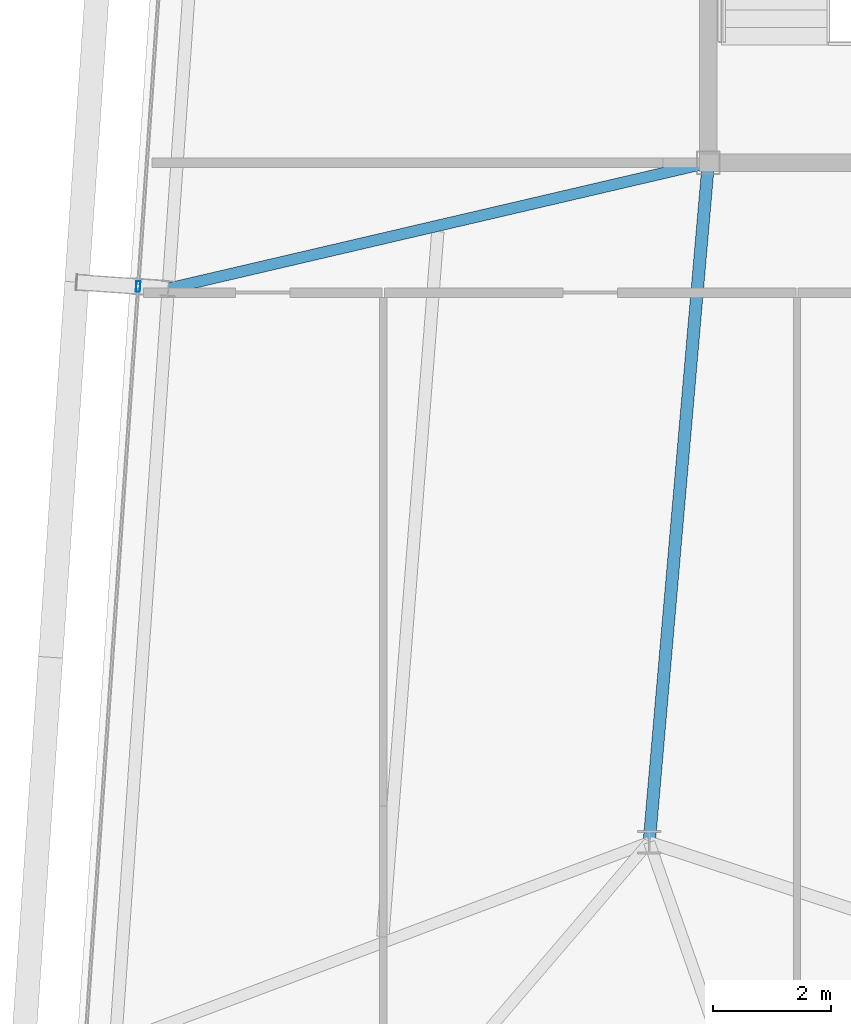
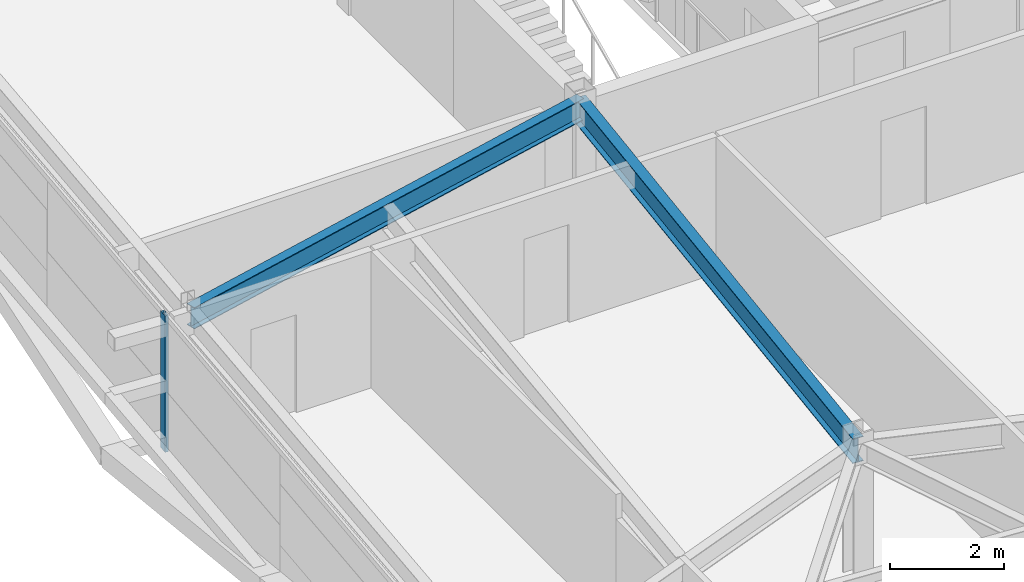
# One storey, part 11 of 39: 2 beams, 1 member, 1 element without a shape of its own.
"""IFC4 building model written with IfcOpenShell, lengths in metres."""

from ifc_helpers import new_model, si_unit, direction, frame, origin, origin_2d, place, context, subcontext, project, spatial, hollow_rectangle, i_section, extrude, source, transform, mapped, material, layer, layer_set, material_profile, profile_set, type_object, element, aggregate, save


model = new_model("IFC4")

# Units and contexts
model_context = context("Model", 3, precision=1e-05, world=origin(), true_north=direction((0.0, 1.0)))
body_context = subcontext(model_context, "Body", "Model", "MODEL_VIEW")
ifc_project = project(units=[si_unit("LENGTHUNIT", "METRE"), si_unit("AREAUNIT", "SQUARE_METRE"), si_unit("VOLUMEUNIT", "CUBIC_METRE"), si_unit("PLANEANGLEUNIT", "RADIAN"), si_unit("MASSUNIT", "GRAM", prefix="KILO")], contexts=[model_context])

# Site, building, storey
site_placement = place(None, origin())
site = spatial("IfcSite", under=ifc_project, at=site_placement, CompositionType="ELEMENT")
building_placement = place(site_placement, origin())
building = spatial("IfcBuilding", under=site, at=building_placement, Name="Taldren Reach Tower", CompositionType="ELEMENT")
storey_placement = place(building_placement, frame((0.0, 0.0, 155.050048828125)))
storey = spatial("IfcBuildingStorey", under=building, at=storey_placement, Name="L47", CompositionType="ELEMENT", Elevation=155.050048828125)

# Beams
ifc_material_1 = material(Name="Steel Gr 350 (350PLUS)", Category="steel")
ifc_material_profile_1 = material_profile(ifc_material_1, i_section(OverallWidth=0.208984375, OverallDepth=0.532958984375, WebThickness=0.01025390625, FlangeThickness=0.015625, at=origin_2d()), Name="530UB92.4")
ifc_profile_set_1 = profile_set([ifc_material_profile_1], Name="Steel Gr 350 (350PLUS)")
beam_type_1 = type_object("IfcBeamType", Name="BM-UB530A", PredefinedType="BEAM", material=ifc_profile_set_1)
shared_shape_1 = source(origin(), body_context, "Body", "SweptSolid", [
    extrude(i_section(OverallWidth=0.208984375, OverallDepth=0.532958984375, WebThickness=0.01025390625, FlangeThickness=0.015625, at=origin_2d()), origin(), (0.0, 0.0, 1.0), 11.54345703125),
])
beam_1_placement = place(storey_placement, frame((19.0, 24.0, 2.663330078125), z_axis=(-0.086629616365, -0.996240588196, 0.0), x_axis=(0.996240588196, -0.086629616365, 0.0)))
element("IfcBeam", 1, at=beam_1_placement, inside=storey, type_object=beam_type_1, Name="Core-spine girder L47-SP09", PredefinedType="BEAM", context=body_context, shape_type="MappedRepresentation", body=[
    mapped(shared_shape_1, transform((0.0, 0.0, 0.0), scale=1.0)),
])
ifc_material_profile_2 = material_profile(ifc_material_1, i_section(OverallWidth=0.19091796875, OverallDepth=0.4599609375, WebThickness=0.010009765625, FlangeThickness=0.01611328125, at=origin_2d()), Name="460UB82.1")
ifc_profile_set_2 = profile_set([ifc_material_profile_2], Name="Steel Gr 350 (350PLUS)")
beam_type_2 = type_object("IfcBeamType", Name="BM-UB460A", PredefinedType="BEAM", material=ifc_profile_set_2)
shared_shape_2 = source(origin(), body_context, "Body", "SweptSolid", [
    extrude(i_section(OverallWidth=0.19091796875, OverallDepth=0.4599609375, WebThickness=0.010009765625, FlangeThickness=0.01611328125, at=origin_2d()), origin(), (0.0, 0.0, 1.0), 9.383544921875),
])
beam_2_placement = place(storey_placement, frame((19.0, 24.0, 2.699951171875), z_axis=(-0.973856560651, -0.227163815951, 0.0), x_axis=(0.227163815951, -0.973856560651, 0.0)))
element("IfcBeam", 2, at=beam_2_placement, inside=storey, type_object=beam_type_2, Name="Primary floor girder B3-W2 L47", PredefinedType="BEAM", context=body_context, shape_type="MappedRepresentation", body=[
    mapped(shared_shape_2, transform((0.0, 0.0, 0.0), scale=1.0)),
])

# Curtain wall, member
ifc_material_2 = material(Name="Aluminium and Low-E Glass Unitised System", Category="aluminium")
ifc_layer = layer(ifc_material_2, 0.159912109375)
ifc_layer_set = layer_set([ifc_layer], Name="Aluminium and Low-E Glass Unitised System")
curtain_wall_type = type_object("IfcCurtainWallType", Name="CW-SYS-4", PredefinedType="NOTDEFINED", material=ifc_layer_set)
curtain_wall_placement = place(storey_placement, origin())
curtain_wall = element("IfcCurtainWall", 3, at=curtain_wall_placement, inside=storey, type_object=curtain_wall_type, Name="Unitised curtain wall CW-L47-W", PredefinedType="NOTDEFINED")
ifc_material_3 = material(Name="Anodised Aluminium 6063-T6", Category="aluminium")
ifc_material_profile_3 = material_profile(ifc_material_3, hollow_rectangle(XDim=0.070068359375, YDim=0.179931640625, WallThickness=0.00390625, at=origin_2d()), Name="ALU-180x70x4RHS")
ifc_profile_set_3 = profile_set([ifc_material_profile_3], Name="Anodised Aluminium 6063-T6")
member_type = type_object("IfcMemberType", Name="CW-MUL-180", PredefinedType="MULLION", material=ifc_profile_set_3)
shared_shape_3 = source(origin(), body_context, "Body", "SweptSolid", [
    extrude(hollow_rectangle(XDim=0.070068359375, YDim=0.179931640625, WallThickness=0.00390625, at=origin_2d()), origin(), (0.0, 0.0, 1.0), 2.929931640625),
])
member_placement = place(storey_placement, frame((9.35302734375, 21.90380859375, 0.0), z_axis=(0.0, 0.0, 1.0), x_axis=(0.997564052812, -0.069756437251, 0.0)))
member = element("IfcMember", 4, at=member_placement, type_object=member_type, Name="CW-4 mullion 2", PredefinedType="MULLION", context=body_context, shape_type="MappedRepresentation", body=[
    mapped(shared_shape_3, transform((0.0, 0.0, 0.0), scale=1.0)),
])
aggregate(curtain_wall, [member])

save(model, "model.ifc")
